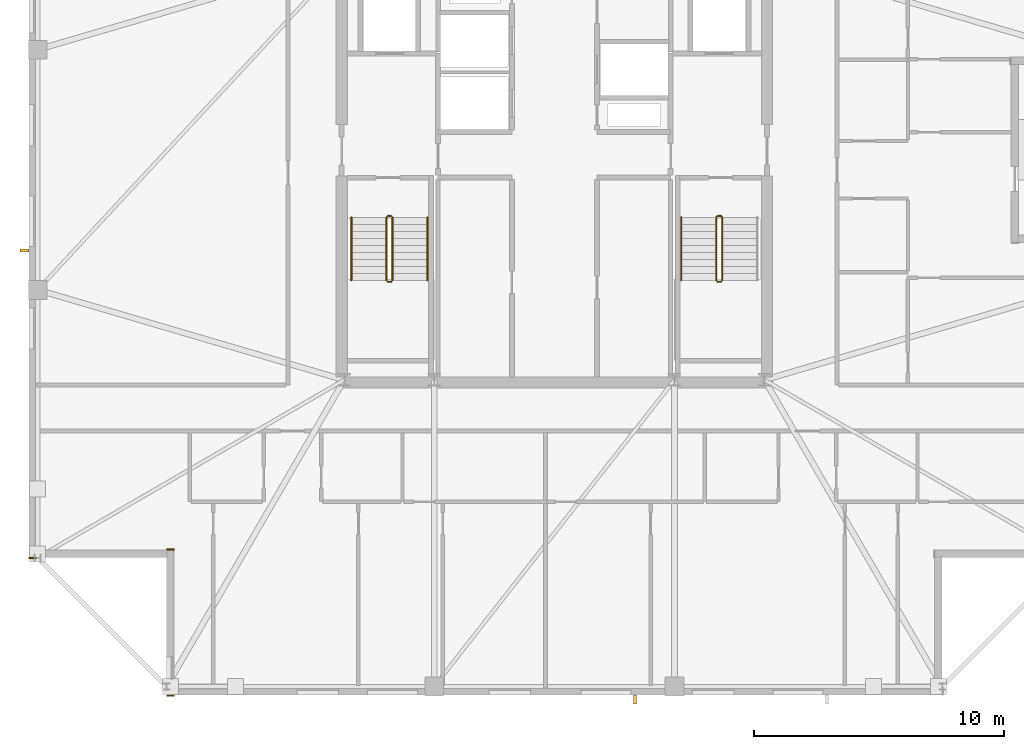
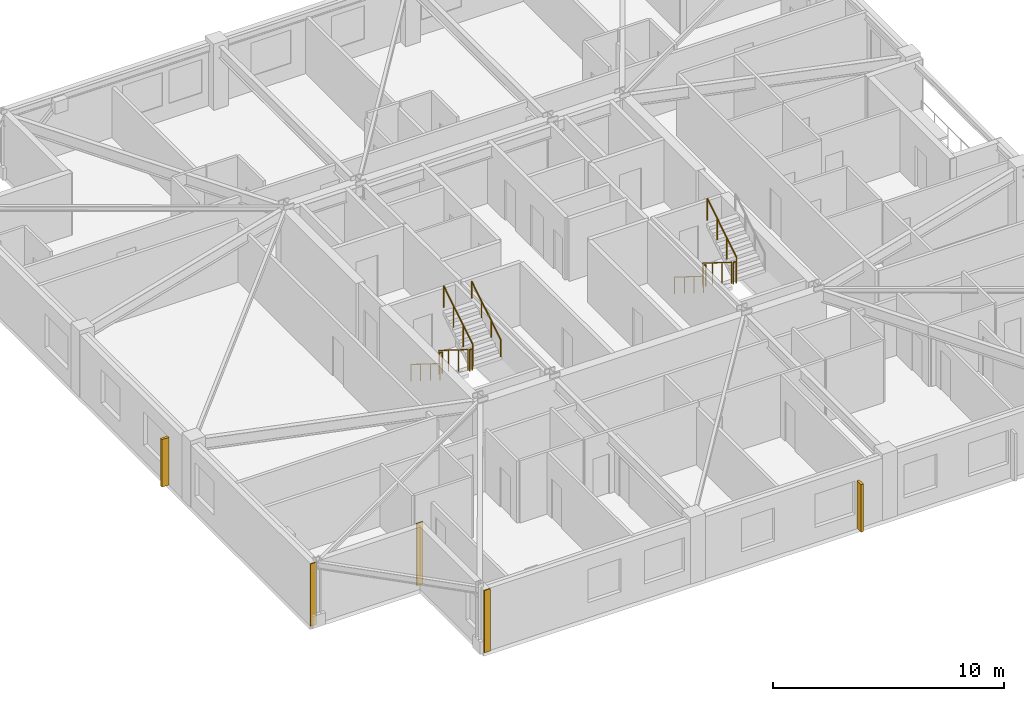
# One storey, part 12 of 14: 11 railings, 3 coverings, 2 shading devices.
"""IFC4 building model written with IfcOpenShell, lengths in metres."""

from ifc_helpers import new_model, si_unit, direction, frame, frame_2d, origin, origin_2d, place, context, subcontext, project, spatial, rectangle, circle, extrude, material, layer, layer_set, type_object, element, save


model = new_model("IFC4")

# Units and contexts
model_context = context("Model", 3, precision=1e-05, world=origin(), true_north=direction((0.0, 1.0)))
body_context = subcontext(model_context, "Body", "Model", "MODEL_VIEW")
ifc_project = project(units=[si_unit("LENGTHUNIT", "METRE"), si_unit("AREAUNIT", "SQUARE_METRE"), si_unit("VOLUMEUNIT", "CUBIC_METRE"), si_unit("PLANEANGLEUNIT", "RADIAN"), si_unit("MASSUNIT", "GRAM", prefix="KILO")], contexts=[model_context])

# Site, building, storey
site_placement = place(None, origin())
site = spatial("IfcSite", under=ifc_project, at=site_placement, CompositionType="ELEMENT")
building_placement = place(site_placement, origin())
building = spatial("IfcBuilding", under=site, at=building_placement, Name="Cairnveth Concourse Tower", CompositionType="ELEMENT")
storey_placement = place(building_placement, frame((0.0, 0.0, 308.5)))
storey = spatial("IfcBuildingStorey", under=building, at=storey_placement, Name="L85", CompositionType="ELEMENT", Elevation=308.5)

# Coverings
ifc_material_1 = material(Name="Dressed Melbourne Bluestone Cladding", Category="masonry")
ifc_layer = layer(ifc_material_1, 0.050048828125)
ifc_layer_set = layer_set([ifc_layer], Name="Dressed Melbourne Bluestone Cladding")
covering_type = type_object("IfcCoveringType", Name="DRESSED BLUESTONE PLINTH CLADDING 50", PredefinedType="CLADDING", material=ifc_layer_set)
for number, where, z_axis, x_axis, name in (
    (1, (36.800048828125, 17.97998046875, 0.0), (0.0, 0.0, 1.0), (-1.0, 0.0, 0.0), "Melbourne Bluestone Corner Quoin L85-1295"),
    (2, (36.800048828125, 23.820068359375, 0.0), (0.0, 0.0, 1.0), (-1.0, 0.0, 0.0), "Melbourne Bluestone Corner Quoin L85-1296"),
    (3, (31.300048828125, 23.47998046875, 0.0), (0.0, 0.0, 1.0), (-1.0, 0.0, 0.0), "Melbourne Bluestone Corner Quoin L85-1297"),
):
    element("IfcCovering", number, at=place(storey_placement, frame(where, z_axis=z_axis, x_axis=x_axis)), inside=storey, type_object=covering_type, Name=name, PredefinedType="CLADDING", context=body_context, shape_type="SweptSolid", body=[
        extrude(rectangle(XDim=0.300048828125, YDim=0.050048828125, at=frame_2d((0.14990234375, 0.0))), origin(), (0.0, 0.0, 1.0), 3.2900390625),
    ])

# Shading devices
ifc_material_2 = material(Name="Architectural Bronze Anodised Aluminium 6063-T6", Category="aluminium")
shading_device_type = type_object("IfcShadingDeviceType", Name="GOTHIC BRONZE VERTICAL LANCET FIN", PredefinedType="USERDEFINED", material=ifc_material_2)
for number, where, z_axis, x_axis, name in (
    (4, (55.217529296875, 17.824951171875, 0.030029296875), (0.0, 0.0, 1.0), (1.0, 0.0, 0.0), "Gothic Bronze Vertical Fin L85-3-3"),
    (5, (30.824951171875, 35.782470703125, 0.030029296875), (0.0, 0.0, 1.0), (0.0, 1.0, 0.0), "Gothic Bronze Vertical Fin L85-6-3"),
):
    element("IfcShadingDevice", number, at=place(storey_placement, frame(where, z_axis=z_axis, x_axis=x_axis)), inside=storey, type_object=shading_device_type, Name=name, ObjectType="VERTICAL FIN", PredefinedType="USERDEFINED", context=body_context, shape_type="SweptSolid", body=[
        extrude(rectangle(XDim=0.1201171875, YDim=0.360107421875, at=origin_2d()), origin(), (0.0, 0.0, 1.0), 2.51806640625),
    ])

# Railings
ifc_material_3 = material(Name="Steel Grade 350", Category="steel")
railing_type_1 = type_object("IfcRailingType", Name="STAIR GUARDRAIL 1150", PredefinedType="GUARDRAIL", material=ifc_material_3)
railing_1_placement = place(storey_placement, frame((45.2900390625, 37.10009765625, 0.175048828125)))
element("IfcRailing", 6, at=railing_1_placement, inside=storey, type_object=railing_type_1, Name="L85 ST-1 stair guard 1", PredefinedType="GUARDRAIL", context=body_context, shape_type="SweptSolid", body=[
    extrude(circle(Radius=0.02392578125, at=origin_2d()), frame((0.0, 0.0, 1.1259765625), z_axis=(0.0, -0.848007534815, 0.529984170421), x_axis=(1.0, 0.0, 0.0)), (0.0, 0.0, 1.0), 2.9716796875),
    extrude(circle(Radius=0.02099609375, at=origin_2d()), origin(), (0.0, 0.0, 1.0), 1.101806640625),
    extrude(circle(Radius=0.02099609375, at=origin_2d()), frame((0.0, -0.840087890625, 0.52490234375)), (0.0, 0.0, 1.0), 1.101806640625),
    extrude(circle(Radius=0.02099609375, at=origin_2d()), frame((0.0, -1.679931640625, 1.050048828125)), (0.0, 0.0, 1.0), 1.101806640625),
    extrude(circle(Radius=0.02099609375, at=origin_2d()), frame((0.0, -2.52001953125, 1.574951171875)), (0.0, 0.0, 1.0), 1.101806640625),
])
railing_2_placement = place(storey_placement, frame((45.340087890625, 34.530029296875, 1.75)))
element("IfcRailing", 7, at=railing_2_placement, inside=storey, type_object=railing_type_1, Name="L85 ST-1 stair guard 2", PredefinedType="GUARDRAIL", context=body_context, shape_type="SweptSolid", body=[
    extrude(circle(Radius=0.02392578125, at=origin_2d()), frame((0.0, 0.0, 1.1259765625), z_axis=(1.0, 0.0, 0.0), x_axis=(0.0, 1.0, 0.0)), (0.0, 0.0, 1.0), 0.139892578125),
    extrude(circle(Radius=0.02099609375, at=origin_2d()), origin(), (0.0, 0.0, 1.0), 1.101806640625),
    extrude(circle(Radius=0.02099609375, at=origin_2d()), frame((0.139892578125, 0.0, 0.0)), (0.0, 0.0, 1.0), 1.101806640625),
])
railing_3_placement = place(storey_placement, frame((45.530029296875, 34.580078125, 1.925048828125)))
element("IfcRailing", 8, at=railing_3_placement, inside=storey, type_object=railing_type_1, Name="L85 ST-1 stair guard 3", PredefinedType="GUARDRAIL", context=body_context, shape_type="SweptSolid", body=[
    extrude(circle(Radius=0.02392578125, at=origin_2d()), frame((0.0, 0.0, 1.1259765625), z_axis=(0.0, 0.848007534815, 0.529984170421), x_axis=(-1.0, 0.0, 0.0)), (0.0, 0.0, 1.0), 2.9716796875),
    extrude(circle(Radius=0.02099609375, at=origin_2d()), origin(), (0.0, 0.0, 1.0), 1.101806640625),
    extrude(circle(Radius=0.02099609375, at=origin_2d()), frame((0.0, 0.840087890625, 0.52490234375)), (0.0, 0.0, 1.0), 1.101806640625),
    extrude(circle(Radius=0.02099609375, at=origin_2d()), frame((0.0, 1.679931640625, 1.050048828125)), (0.0, 0.0, 1.0), 1.101806640625),
    extrude(circle(Radius=0.02099609375, at=origin_2d()), frame((0.0, 2.52001953125, 1.574951171875)), (0.0, 0.0, 1.0), 1.101806640625),
])
railing_4_placement = place(storey_placement, frame((45.340087890625, 37.14990234375, 0.0)))
element("IfcRailing", 9, at=railing_4_placement, inside=storey, type_object=railing_type_1, Name="L85 ST-1 stair guard 4", PredefinedType="GUARDRAIL", context=body_context, shape_type="SweptSolid", body=[
    extrude(circle(Radius=0.02392578125, at=origin_2d()), frame((0.0, 0.0, 1.1259765625), z_axis=(1.0, 0.0, 0.0), x_axis=(0.0, 1.0, 0.0)), (0.0, 0.0, 1.0), 0.139892578125),
    extrude(circle(Radius=0.02099609375, at=origin_2d()), origin(), (0.0, 0.0, 1.0), 1.101806640625),
    extrude(circle(Radius=0.02099609375, at=origin_2d()), frame((0.139892578125, 0.0, 0.0)), (0.0, 0.0, 1.0), 1.101806640625),
])
railing_5_placement = place(storey_placement, frame((58.469970703125, 37.10009765625, 0.175048828125)))
element("IfcRailing", 10, at=railing_5_placement, inside=storey, type_object=railing_type_1, Name="L85 ST-2 stair guard 1", PredefinedType="GUARDRAIL", context=body_context, shape_type="SweptSolid", body=[
    extrude(circle(Radius=0.02392578125, at=origin_2d()), frame((0.0, 0.0, 1.1259765625), z_axis=(0.0, -0.848007534815, 0.529984170421), x_axis=(1.0, 0.0, 0.0)), (0.0, 0.0, 1.0), 2.9716796875),
    extrude(circle(Radius=0.02099609375, at=origin_2d()), origin(), (0.0, 0.0, 1.0), 1.101806640625),
    extrude(circle(Radius=0.02099609375, at=origin_2d()), frame((0.0, -0.840087890625, 0.52490234375)), (0.0, 0.0, 1.0), 1.101806640625),
    extrude(circle(Radius=0.02099609375, at=origin_2d()), frame((0.0, -1.679931640625, 1.050048828125)), (0.0, 0.0, 1.0), 1.101806640625),
    extrude(circle(Radius=0.02099609375, at=origin_2d()), frame((0.0, -2.52001953125, 1.574951171875)), (0.0, 0.0, 1.0), 1.101806640625),
])
railing_6_placement = place(storey_placement, frame((58.52001953125, 34.530029296875, 1.75)))
element("IfcRailing", 11, at=railing_6_placement, inside=storey, type_object=railing_type_1, Name="L85 ST-2 stair guard 2", PredefinedType="GUARDRAIL", context=body_context, shape_type="SweptSolid", body=[
    extrude(circle(Radius=0.02392578125, at=origin_2d()), frame((0.0, 0.0, 1.1259765625), z_axis=(1.0, 0.0, 0.0), x_axis=(0.0, 1.0, 0.0)), (0.0, 0.0, 1.0), 0.139892578125),
    extrude(circle(Radius=0.02099609375, at=origin_2d()), origin(), (0.0, 0.0, 1.0), 1.101806640625),
    extrude(circle(Radius=0.02099609375, at=origin_2d()), frame((0.139892578125, 0.0, 0.0)), (0.0, 0.0, 1.0), 1.101806640625),
])
railing_7_placement = place(storey_placement, frame((58.7099609375, 34.580078125, 1.925048828125)))
element("IfcRailing", 12, at=railing_7_placement, inside=storey, type_object=railing_type_1, Name="L85 ST-2 stair guard 3", PredefinedType="GUARDRAIL", context=body_context, shape_type="SweptSolid", body=[
    extrude(circle(Radius=0.02392578125, at=origin_2d()), frame((0.0, 0.0, 1.1259765625), z_axis=(0.0, 0.848007534815, 0.529984170421), x_axis=(-1.0, 0.0, 0.0)), (0.0, 0.0, 1.0), 2.9716796875),
    extrude(circle(Radius=0.02099609375, at=origin_2d()), origin(), (0.0, 0.0, 1.0), 1.101806640625),
    extrude(circle(Radius=0.02099609375, at=origin_2d()), frame((0.0, 0.840087890625, 0.52490234375)), (0.0, 0.0, 1.0), 1.101806640625),
    extrude(circle(Radius=0.02099609375, at=origin_2d()), frame((0.0, 1.679931640625, 1.050048828125)), (0.0, 0.0, 1.0), 1.101806640625),
    extrude(circle(Radius=0.02099609375, at=origin_2d()), frame((0.0, 2.52001953125, 1.574951171875)), (0.0, 0.0, 1.0), 1.101806640625),
])
railing_8_placement = place(storey_placement, frame((58.52001953125, 37.14990234375, 0.0)))
element("IfcRailing", 13, at=railing_8_placement, inside=storey, type_object=railing_type_1, Name="L85 ST-2 stair guard 4", PredefinedType="GUARDRAIL", context=body_context, shape_type="SweptSolid", body=[
    extrude(circle(Radius=0.02392578125, at=origin_2d()), frame((0.0, 0.0, 1.1259765625), z_axis=(1.0, 0.0, 0.0), x_axis=(0.0, 1.0, 0.0)), (0.0, 0.0, 1.0), 0.139892578125),
    extrude(circle(Radius=0.02099609375, at=origin_2d()), origin(), (0.0, 0.0, 1.0), 1.101806640625),
    extrude(circle(Radius=0.02099609375, at=origin_2d()), frame((0.139892578125, 0.0, 0.0)), (0.0, 0.0, 1.0), 1.101806640625),
])
railing_type_2 = type_object("IfcRailingType", Name="STAIR WALL HANDRAIL 900", PredefinedType="HANDRAIL", material=ifc_material_3)
railing_9_placement = place(storey_placement, frame((43.889892578125, 37.10009765625, 0.175048828125)))
element("IfcRailing", 14, at=railing_9_placement, inside=storey, type_object=railing_type_2, Name="L85 ST-1 stair handrail 1", PredefinedType="HANDRAIL", context=body_context, shape_type="SweptSolid", body=[
    extrude(circle(Radius=0.02392578125, at=origin_2d()), frame((0.0, 0.0, 0.8759765625), z_axis=(0.0, -0.848007534815, 0.529984170421), x_axis=(1.0, 0.0, 0.0)), (0.0, 0.0, 1.0), 2.9716796875),
    extrude(circle(Radius=0.02099609375, at=origin_2d()), origin(), (0.0, 0.0, 1.0), 0.851806640625),
    extrude(circle(Radius=0.02099609375, at=origin_2d()), frame((0.0, -0.840087890625, 0.52490234375)), (0.0, 0.0, 1.0), 0.851806640625),
    extrude(circle(Radius=0.02099609375, at=origin_2d()), frame((0.0, -1.679931640625, 1.050048828125)), (0.0, 0.0, 1.0), 0.851806640625),
    extrude(circle(Radius=0.02099609375, at=origin_2d()), frame((0.0, -2.52001953125, 1.574951171875)), (0.0, 0.0, 1.0), 0.851806640625),
])
railing_10_placement = place(storey_placement, frame((46.929931640625, 34.580078125, 1.925048828125)))
element("IfcRailing", 15, at=railing_10_placement, inside=storey, type_object=railing_type_2, Name="L85 ST-1 stair handrail 2", PredefinedType="HANDRAIL", context=body_context, shape_type="SweptSolid", body=[
    extrude(circle(Radius=0.02392578125, at=origin_2d()), frame((0.0, 0.0, 0.8759765625), z_axis=(0.0, 0.848007534815, 0.529984170421), x_axis=(-1.0, 0.0, 0.0)), (0.0, 0.0, 1.0), 2.9716796875),
    extrude(circle(Radius=0.02099609375, at=origin_2d()), origin(), (0.0, 0.0, 1.0), 0.851806640625),
    extrude(circle(Radius=0.02099609375, at=origin_2d()), frame((0.0, 0.840087890625, 0.52490234375)), (0.0, 0.0, 1.0), 0.851806640625),
    extrude(circle(Radius=0.02099609375, at=origin_2d()), frame((0.0, 1.679931640625, 1.050048828125)), (0.0, 0.0, 1.0), 0.851806640625),
    extrude(circle(Radius=0.02099609375, at=origin_2d()), frame((0.0, 2.52001953125, 1.574951171875)), (0.0, 0.0, 1.0), 0.851806640625),
])
railing_11_placement = place(storey_placement, frame((57.070068359375, 37.10009765625, 0.175048828125)))
element("IfcRailing", 16, at=railing_11_placement, inside=storey, type_object=railing_type_2, Name="L85 ST-2 stair handrail 1", PredefinedType="HANDRAIL", context=body_context, shape_type="SweptSolid", body=[
    extrude(circle(Radius=0.02392578125, at=origin_2d()), frame((0.0, 0.0, 0.8759765625), z_axis=(0.0, -0.848007534815, 0.529984170421), x_axis=(1.0, 0.0, 0.0)), (0.0, 0.0, 1.0), 2.9716796875),
    extrude(circle(Radius=0.02099609375, at=origin_2d()), origin(), (0.0, 0.0, 1.0), 0.851806640625),
    extrude(circle(Radius=0.02099609375, at=origin_2d()), frame((0.0, -0.840087890625, 0.52490234375)), (0.0, 0.0, 1.0), 0.851806640625),
    extrude(circle(Radius=0.02099609375, at=origin_2d()), frame((0.0, -1.679931640625, 1.050048828125)), (0.0, 0.0, 1.0), 0.851806640625),
    extrude(circle(Radius=0.02099609375, at=origin_2d()), frame((0.0, -2.52001953125, 1.574951171875)), (0.0, 0.0, 1.0), 0.851806640625),
])

save(model, "model.ifc")
